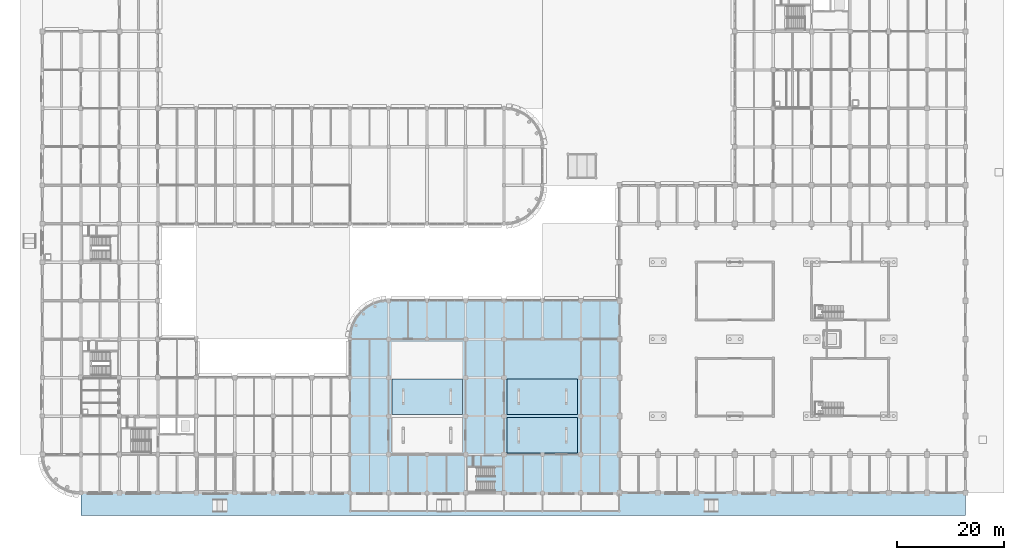
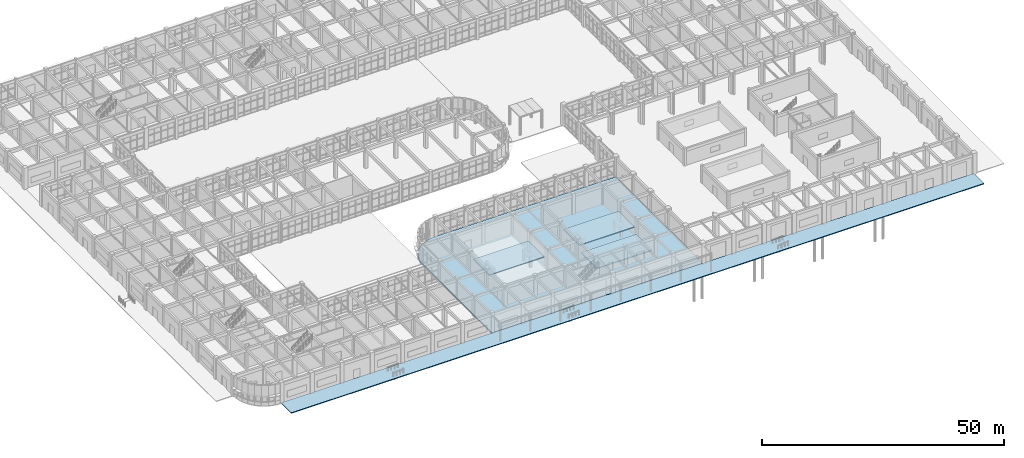
# One storey, part 116 of 160: 5 slabs.
"""IFC4 building model written with IfcOpenShell, lengths in metres."""

from ifc_helpers import new_model, si_unit, direction, frame, origin, place, context, subcontext, project, spatial, polyline, outline, extrude, material, layer, layer_set, type_object, element, save


model = new_model("IFC4")

# Units and contexts
model_context = context("Model", 3, precision=1e-05, world=origin(), true_north=direction((0.0, 1.0)))
body_context = subcontext(model_context, "Body", "Model", "MODEL_VIEW")
ifc_project = project(units=[si_unit("LENGTHUNIT", "METRE"), si_unit("AREAUNIT", "SQUARE_METRE"), si_unit("VOLUMEUNIT", "CUBIC_METRE"), si_unit("PLANEANGLEUNIT", "RADIAN"), si_unit("MASSUNIT", "GRAM", prefix="KILO")], contexts=[model_context])

# Site, building, storey
site_placement = place(None, origin())
site = spatial("IfcSite", under=ifc_project, at=site_placement, CompositionType="ELEMENT")
building_placement = place(site_placement, origin())
building = spatial("IfcBuilding", under=site, at=building_placement, Name="Thalmaran Polytechnic", CompositionType="ELEMENT")
storey_placement = place(building_placement, origin())
storey = spatial("IfcBuildingStorey", under=building, at=storey_placement, Name="L00", CompositionType="ELEMENT", Elevation=0.0)

# Slabs
ifc_material = material(Name="Concrete C40/50", Category="concrete")
ifc_layer_1 = layer(ifc_material, 0.31005859375, Name="Concrete C40/50")
ifc_layer_set_1 = layer_set([ifc_layer_1], Name="Concrete C40/50")
slab_type_1 = type_object("IfcSlabType", Name="SL-FL03", PredefinedType="FLOOR", material=ifc_layer_set_1)
slab_1_placement = place(storey_placement, frame((0.0, 0.0, -0.31005859375)))
element("IfcSlab", 1, at=slab_1_placement, inside=storey, type_object=slab_type_1, Name="V3 L00 Structural Slab", PredefinedType="FLOOR", context=body_context, shape_type="SweptSolid", body=[
    extrude(outline(polyline([(72.0, 0.0), (64.800048828125, 0.0), (57.60009765625, 0.0), (57.60009765625, 7.199951171875), (57.60009765625, 14.39990234375), (57.60009765625, 21.60009765625), (57.60009765625, 28.800048828125), (57.73828125, 30.20458984375), (58.14794921875, 31.555419921875), (58.8134765625, 32.800048828125), (59.708740234375, 33.89111328125), (60.7998046875, 34.78662109375), (62.044677734375, 35.451904296875), (63.395263671875, 35.861572265625), (64.800048828125, 36.0), (72.0, 36.0), (79.199951171875, 36.0), (86.39990234375, 36.0), (93.60009765625, 36.0), (100.800048828125, 36.0), (108.0, 36.0), (108.0, 28.800048828125), (108.0, 21.60009765625), (108.0, 14.39990234375), (108.0, 7.199951171875), (108.0, 0.0), (100.800048828125, 0.0), (93.60009765625, 0.0), (86.39990234375, 0.0), (79.199951171875, 0.0), (72.0, 0.0)])), origin(), (0.0, 0.0, 1.0), 0.31005859375),
])
ifc_layer_2 = layer(ifc_material, 0.22998046875, Name="Concrete C40/50")
ifc_layer_set_2 = layer_set([ifc_layer_2], Name="Concrete C40/50")
slab_type_2 = type_object("IfcSlabType", Name="SL-FL08", PredefinedType="FLOOR", material=ifc_layer_set_2)
slab_2_placement = place(storey_placement, frame((0.0, 0.0, 2.77001953125)))
element("IfcSlab", 2, at=slab_2_placement, inside=storey, type_object=slab_type_2, Name="Lecture Theatre 1 Raked Tier 2", PredefinedType="FLOOR", context=body_context, shape_type="SweptSolid", body=[
    extrude(outline(polyline([(65.39990234375, 14.699951171875), (78.60009765625, 14.699951171875), (78.60009765625, 21.300048828125), (65.39990234375, 21.300048828125), (65.39990234375, 14.699951171875)])), origin(), (0.0, 0.0, 1.0), 0.22998046875),
])
slab_3_placement = place(storey_placement, frame((0.0, 0.0, 1.27001953125)))
element("IfcSlab", 3, at=slab_3_placement, inside=storey, type_object=slab_type_2, Name="Lecture Theatre 2 Raked Tier 1", PredefinedType="FLOOR", context=body_context, shape_type="SweptSolid", body=[
    extrude(outline(polyline([(87.0, 7.5), (100.199951171875, 7.5), (100.199951171875, 14.10009765625), (87.0, 14.10009765625), (87.0, 7.5)])), origin(), (0.0, 0.0, 1.0), 0.22998046875),
])
slab_4_placement = place(storey_placement, frame((0.0, 0.0, 2.77001953125)))
element("IfcSlab", 4, at=slab_4_placement, inside=storey, type_object=slab_type_2, Name="Lecture Theatre 2 Raked Tier 2", PredefinedType="FLOOR", context=body_context, shape_type="SweptSolid", body=[
    extrude(outline(polyline([(87.0, 14.699951171875), (100.199951171875, 14.699951171875), (100.199951171875, 21.300048828125), (87.0, 21.300048828125), (87.0, 14.699951171875)])), origin(), (0.0, 0.0, 1.0), 0.22998046875),
])
ifc_layer_3 = layer(ifc_material, 0.199951171875, Name="Concrete C40/50")
ifc_layer_set_3 = layer_set([ifc_layer_3], Name="Concrete C40/50")
slab_type_3 = type_object("IfcSlabType", Name="SL-PV01", PredefinedType="BASESLAB", material=ifc_layer_set_3)
slab_5_placement = place(storey_placement, frame((0.0, 0.0, -0.199951171875)))
element("IfcSlab", 5, at=slab_5_placement, inside=storey, type_object=slab_type_3, Name="External Street Paving SOUTH", PredefinedType="BASESLAB", context=body_context, shape_type="SweptSolid", body=[
    extrude(outline(polyline([(7.199951171875, -4.199951171875), (172.800048828125, -4.199951171875), (172.800048828125, 0.0), (7.199951171875, 0.0), (7.199951171875, -4.199951171875)])), origin(), (0.0, 0.0, 1.0), 0.199951171875),
])

save(model, "model.ifc")
